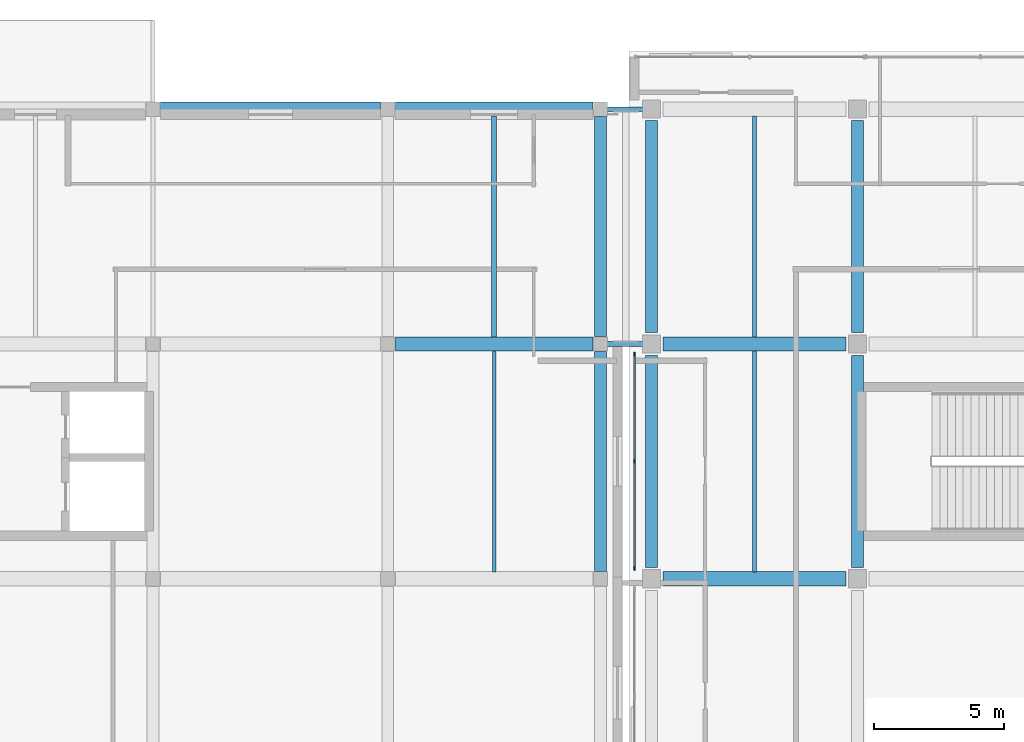
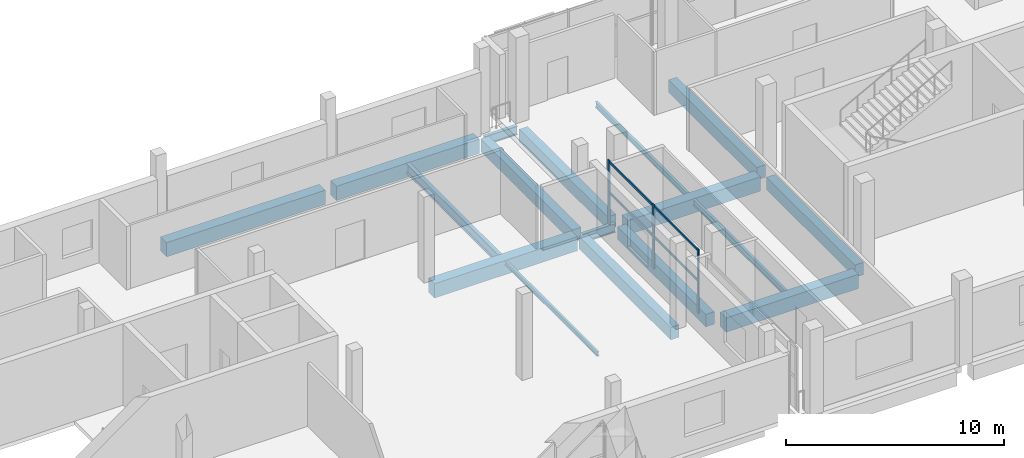
# One storey, part 43 of 111: 17 beams, 5 members, 1 element without a shape of its own.
"""IFC4 building model written with IfcOpenShell, lengths in metres."""

import ifcopenshell
import ifcopenshell.guid

model = None  # the IFC model being written
_history = None  # IfcOwnerHistory: only IFC2X3 demands one
_inside = {}  # id of a spatial element -> (the spatial element, [elements in it])
_under = {}  # id of a project, library or spatial element -> (it, [spatial elements below it])
_declared = {}  # id of a project -> (the project, [libraries it declares])
_typed = {}  # id of a type object -> (the type object, [elements of that type])
_made_of = {}  # id of a material, layer set ... -> (it, [elements and type objects made of it])


def new_model(schema):
    """Start an empty IFC model of exactly this schema.

    Asked for "IFC4X3", IfcOpenShell would pick the latest addendum, in which some entities
    have other attributes; the version numbers below select the first issue.
    IFC2X3 requires an IfcOwnerHistory on every rooted entity: one is made here for all.
    """
    global model, _history
    if schema == "IFC4X3":
        model = ifcopenshell.file(schema_version=(4, 3, 0, 0))
    else:
        model = ifcopenshell.file(schema=schema)
    _inside.clear()
    _under.clear()
    _declared.clear()
    _typed.clear()
    _made_of.clear()
    _history = None
    if model.schema == "IFC2X3":
        org = make("IfcOrganization", Name="unknown")
        user = make(
            "IfcPersonAndOrganization",
            ThePerson=make("IfcPerson", FamilyName="unknown"),
            TheOrganization=org,
        )
        app = make(
            "IfcApplication",
            ApplicationDeveloper=org,
            Version="unknown",
            ApplicationFullName="unknown",
            ApplicationIdentifier="unknown",
        )
        _history = make(
            "IfcOwnerHistory",
            OwningUser=user,
            OwningApplication=app,
            ChangeAction="ADDED",
            CreationDate=0,
        )
    return model


def make(cls, **values):
    """One entity of the class cls with the attributes given. An attribute that is None is left unset."""
    return model.create_entity(
        cls, **{name: value for name, value in values.items() if value is not None}
    )


def rooted(cls, **values):
    """An entity with a GlobalId (a new one), such as an element, a storey or a relation."""
    return make(cls, GlobalId=ifcopenshell.guid.new(), OwnerHistory=_history, **values)


def si_unit(unit_type, name, prefix=None):
    """IfcSIUnit, for example si_unit("LENGTHUNIT", "METRE", prefix="MILLI")."""
    return make("IfcSIUnit", UnitType=unit_type, Prefix=prefix, Name=name)


def assignment(units):
    """IfcUnitAssignment: the units of a project."""
    return None if units is None else make("IfcUnitAssignment", Units=units)


def point(xyz):
    """IfcCartesianPoint."""
    return None if xyz is None else make("IfcCartesianPoint", Coordinates=xyz)


def direction(xyz):
    """IfcDirection."""
    return None if xyz is None else make("IfcDirection", DirectionRatios=xyz)


def frame(location, z_axis=None, x_axis=None):
    """IfcAxis2Placement3D, a coordinate frame: its origin and axes. An axis left out is left unset."""
    return make(
        "IfcAxis2Placement3D",
        Location=point(location),
        Axis=direction(z_axis),
        RefDirection=direction(x_axis),
    )


def frame_2d(location, x_axis=None):
    """IfcAxis2Placement2D, a coordinate frame in the plane: its origin and x axis."""
    return make(
        "IfcAxis2Placement2D", Location=point(location), RefDirection=direction(x_axis)
    )


def origin():
    """The frame at (0, 0, 0) with its axes left unset."""
    return frame((0.0, 0.0, 0.0))


def origin_2d():
    """The frame at (0, 0) in the plane with its x axis left unset."""
    return frame_2d((0.0, 0.0))


def place(relative_to, where):
    """IfcLocalPlacement: puts the frame where relative to a parent placement (None: the world)."""
    return make(
        "IfcLocalPlacement", PlacementRelTo=relative_to, RelativePlacement=where
    )


def context(
    kind, dimensions, precision=None, world=None, true_north=None, identifier=None
):
    """IfcGeometricRepresentationContext, for example the 3D "Model" context."""
    return make(
        "IfcGeometricRepresentationContext",
        ContextIdentifier=identifier,
        ContextType=kind,
        CoordinateSpaceDimension=dimensions,
        Precision=precision,
        WorldCoordinateSystem=world,
        TrueNorth=true_north,
    )


def subcontext(parent, identifier, kind, view, scale=None):
    """IfcGeometricRepresentationSubContext, for example "Body" below "Model"."""
    return make(
        "IfcGeometricRepresentationSubContext",
        ContextIdentifier=identifier,
        ContextType=kind,
        ParentContext=parent,
        TargetScale=scale,
        TargetView=view,
    )


def project(units=None, contexts=None):
    """IfcProject with its units and contexts."""
    return rooted(
        "IfcProject",
        Name="project",
        RepresentationContexts=contexts,
        UnitsInContext=assignment(units),
    )


def spatial(cls, under=None, at=None, **own):
    """A site, building, storey or space (cls), placed at a placement, below another one or the project."""
    s = rooted(cls, ObjectPlacement=at, **own)
    if under is not None:
        _under.setdefault(under.id(), (under, []))[1].append(s)
    return s


def profile(cls, at=None, kind="AREA", **sizes):
    """A parametric profile (cls). Its sizes go by their IFC names, for example OverallWidth=200.0."""
    return make(cls, ProfileType=kind, Position=at, **sizes)


def rectangle(**sizes):
    """IfcRectangleProfileDef."""
    return profile("IfcRectangleProfileDef", **sizes)


def i_section(**sizes):
    """IfcIShapeProfileDef."""
    return profile("IfcIShapeProfileDef", **sizes)


def extrude(swept, where, along, depth):
    """IfcExtrudedAreaSolid: the profile swept, set in the frame where, extruded along a direction by depth."""
    return make(
        "IfcExtrudedAreaSolid",
        SweptArea=swept,
        Position=where,
        ExtrudedDirection=direction(along),
        Depth=depth,
    )


def shape(context_of_items, identifier, shape_type, items):
    """IfcShapeRepresentation: the items that make up one representation, for example the "Body"."""
    return make(
        "IfcShapeRepresentation",
        ContextOfItems=context_of_items,
        RepresentationIdentifier=identifier,
        RepresentationType=shape_type,
        Items=items,
    )


def material(Name=None, Category=None):
    """IfcMaterial."""
    return make("IfcMaterial", Name=Name, Category=Category)


def material_profile(
    of_material, cross_section, Name=None, Category=None, Priority=None
):
    """IfcMaterialProfile: a cross section and its material."""
    return make(
        "IfcMaterialProfile",
        Name=Name,
        Material=of_material,
        Profile=cross_section,
        Priority=Priority,
        Category=Category,
    )


def profile_set(profiles, Name=None, composite=None):
    """IfcMaterialProfileSet."""
    return make(
        "IfcMaterialProfileSet",
        Name=Name,
        MaterialProfiles=profiles,
        CompositeProfile=composite,
    )


def made_of(thing, what):
    """Note that an element or type object is made of a material, layer set ...; save() writes the relation."""
    if what is not None:
        _made_of.setdefault(what.id(), (what, []))[1].append(thing)
    return thing


def type_object(cls, material=None, **own):
    """A type object (cls), such as IfcWallType, which elements share."""
    return made_of(rooted(cls, **own), material)


def element(
    cls,
    number,
    at=None,
    inside=None,
    cuts=None,
    type_object=None,
    material=None,
    context=None,
    identifier="Body",
    shape_type=None,
    held_by="IfcProductDefinitionShape",
    body=None,
    shapes=None,
    **own,
):
    """One element of the class cls, such as IfcWall. Its Tag is "e" and its number.

    at: its placement. inside: the storey or other place that contains it. cuts: it is an
    opening in that element (IfcRelVoidsElement). A single representation is given by context,
    identifier, shape_type and body (its items); several are given by shapes. held_by: the class
    of the entity that holds the representations. save() writes the other relations.
    """
    e = rooted(cls, Tag="e%d" % number, ObjectPlacement=at, **own)
    if body is not None:
        shapes = [shape(context, identifier, shape_type, body)]
    if shapes is not None:
        e.Representation = make(held_by, Representations=shapes)
    if inside is not None:
        _inside.setdefault(inside.id(), (inside, []))[1].append(e)
    if cuts is not None:
        rooted(
            "IfcRelVoidsElement", RelatingBuildingElement=cuts, RelatedOpeningElement=e
        )
    if type_object is not None:
        _typed.setdefault(type_object.id(), (type_object, []))[1].append(e)
    return made_of(e, material)


def aggregate(whole, parts):
    """IfcRelAggregates: a whole, such as a stair, and the parts it consists of."""
    return rooted("IfcRelAggregates", RelatingObject=whole, RelatedObjects=parts)


def save(model, path):
    """Write the relations noted so far, then the file.

    IfcRelAggregates (storeys below a building ...), IfcRelContainedInSpatialStructure (elements
    in a storey), IfcRelDefinesByType, IfcRelAssociatesMaterial and IfcRelDeclares: one each for
    every whole, place, type object, material and project.
    """
    for whole, parts in _under.values():
        aggregate(whole, parts)
    for where, things in _inside.values():
        rooted(
            "IfcRelContainedInSpatialStructure",
            RelatedElements=things,
            RelatingStructure=where,
        )
    for kind, things in _typed.values():
        rooted("IfcRelDefinesByType", RelatedObjects=things, RelatingType=kind)
    for what, things in _made_of.values():
        rooted("IfcRelAssociatesMaterial", RelatedObjects=things, RelatingMaterial=what)
    for by, libraries in _declared.values():
        rooted("IfcRelDeclares", RelatingContext=by, RelatedDefinitions=libraries)
    model.write(path)


model = new_model("IFC4")

# Units and contexts
model_context = context("Model", 3, precision=1e-05, world=origin(), true_north=direction((0.0, 1.0)))
body_context = subcontext(model_context, "Body", "Model", "MODEL_VIEW")
ifc_project = project(units=[si_unit("LENGTHUNIT", "METRE"), si_unit("AREAUNIT", "SQUARE_METRE"), si_unit("VOLUMEUNIT", "CUBIC_METRE"), si_unit("PLANEANGLEUNIT", "RADIAN"), si_unit("MASSUNIT", "GRAM", prefix="KILO"), si_unit("THERMODYNAMICTEMPERATUREUNIT", "KELVIN"), si_unit("POWERUNIT", "WATT")], contexts=[model_context])

# Site, building, storey
site_placement = place(None, origin())
site = spatial("IfcSite", under=ifc_project, at=site_placement, CompositionType="ELEMENT")
building_placement = place(site_placement, origin())
building = spatial("IfcBuilding", under=site, at=building_placement, Name="Sindhuravela Promenade Stadium", CompositionType="ELEMENT")
storey_placement = place(building_placement, frame((0.0, 0.0, 9.60009765625)))
storey = spatial("IfcBuildingStorey", under=building, at=storey_placement, Name="L02", CompositionType="ELEMENT", Elevation=9.60009765625)

# Curtain wall, members
ifc_material_1 = material(Name="Anodised architectural aluminium 6063-T6", Category="aluminium")
curtain_wall_type = type_object("IfcCurtainWallType", Name="CW-MOD-2", PredefinedType="NOTDEFINED", material=ifc_material_1)
curtain_wall_placement = place(storey_placement, origin())
curtain_wall = element("IfcCurtainWall", 1, at=curtain_wall_placement, inside=storey, type_object=curtain_wall_type, Name="Bronze curtain wall CW-NORTH-L02-153", PredefinedType="NOTDEFINED")
ifc_material_profile_1 = material_profile(ifc_material_1, rectangle(XDim=0.06005859375, YDim=0.159912109375, at=origin_2d()), Name="ALU M60x160")
ifc_profile_set_1 = profile_set([ifc_material_profile_1], Name="Anodised architectural aluminium 6063-T6")
member_type_1 = type_object("IfcMemberType", Name="CW-MUL-4", PredefinedType="MULLION", material=ifc_profile_set_1)
member_1_placement = place(storey_placement, frame((54.449951171875, 135.39990234375, 0.0), z_axis=(0.0, 0.0, 1.0), x_axis=(1.0, 0.0, 0.0)))
member_1 = element("IfcMember", 2, at=member_1_placement, type_object=member_type_1, Name="Curtain wall mullion CW-NORTH-L02-153-M1", PredefinedType="MULLION", context=body_context, shape_type="SweptSolid", body=[
    extrude(rectangle(XDim=0.06005859375, YDim=0.159912109375, at=origin_2d()), origin(), (0.0, 0.0, 1.0), 3.579833984375),
])
member_2_placement = place(storey_placement, frame((54.449951171875, 139.5, 0.0), z_axis=(0.0, 0.0, 1.0), x_axis=(1.0, 0.0, 0.0)))
member_2 = element("IfcMember", 3, at=member_2_placement, type_object=member_type_1, Name="Curtain wall mullion CW-NORTH-L02-153-M2", PredefinedType="MULLION", context=body_context, shape_type="SweptSolid", body=[
    extrude(rectangle(XDim=0.06005859375, YDim=0.159912109375, at=origin_2d()), origin(), (0.0, 0.0, 1.0), 3.579833984375),
])
member_3_placement = place(storey_placement, frame((54.449951171875, 143.60009765625, 0.0), z_axis=(0.0, 0.0, 1.0), x_axis=(1.0, 0.0, 0.0)))
member_3 = element("IfcMember", 4, at=member_3_placement, type_object=member_type_1, Name="Curtain wall mullion CW-NORTH-L02-153-M3", PredefinedType="MULLION", context=body_context, shape_type="SweptSolid", body=[
    extrude(rectangle(XDim=0.06005859375, YDim=0.159912109375, at=origin_2d()), origin(), (0.0, 0.0, 1.0), 3.579833984375),
])
ifc_material_profile_2 = material_profile(ifc_material_1, rectangle(XDim=0.06005859375, YDim=0.1201171875, at=origin_2d()), Name="ALU T60x120")
ifc_profile_set_2 = profile_set([ifc_material_profile_2], Name="Anodised architectural aluminium 6063-T6")
member_type_2 = type_object("IfcMemberType", Name="CW-TRN-4", PredefinedType="USERDEFINED", material=ifc_profile_set_2)
member_4_placement = place(storey_placement, frame((54.449951171875, 135.375, 1.789794921875), z_axis=(0.0, 1.0, 0.0), x_axis=(-1.0, 0.0, 0.0)))
member_4 = element("IfcMember", 5, at=member_4_placement, type_object=member_type_2, Name="Curtain wall transom CW-NORTH-L02-153-T1", ObjectType="TRANSOM", PredefinedType="USERDEFINED", context=body_context, shape_type="SweptSolid", body=[
    extrude(rectangle(XDim=0.06005859375, YDim=0.1201171875, at=origin_2d()), origin(), (0.0, 0.0, 1.0), 8.25),
])
member_5_placement = place(storey_placement, frame((54.449951171875, 135.375, 3.5), z_axis=(0.0, 1.0, 0.0), x_axis=(-1.0, 0.0, 0.0)))
member_5 = element("IfcMember", 6, at=member_5_placement, type_object=member_type_2, Name="Curtain wall transom CW-NORTH-L02-153-T2", ObjectType="TRANSOM", PredefinedType="USERDEFINED", context=body_context, shape_type="SweptSolid", body=[
    extrude(rectangle(XDim=0.06005859375, YDim=0.1201171875, at=origin_2d()), origin(), (0.0, 0.0, 1.0), 8.25),
])
aggregate(curtain_wall, [member_1, member_2, member_3, member_4, member_5])

# Beams
ifc_material_2 = material(Name="Concrete M40", Category="concrete")
ifc_material_profile_3 = material_profile(ifc_material_2, rectangle(XDim=0.449951171875, YDim=0.699951171875, at=origin_2d()), Name="RC 450x700")
ifc_profile_set_3 = profile_set([ifc_material_profile_3], Name="Concrete M40")
beam_type_1 = type_object("IfcBeamType", Name="RC-BM-450x700", PredefinedType="BEAM", material=ifc_profile_set_3)
for number, where, z_axis, x_axis, name in (
    (7, (55.10009765625, 135.43994140625, -0.630126953125), (0.0, 1.0, 0.0), (-1.0, 0.0, 0.0), "Primary beam GB07 NORTH L02"),
    (8, (55.10009765625, 144.43994140625, -0.630126953125), (0.0, 1.0, 0.0), (-1.0, 0.0, 0.0), "Primary beam GB07 NORTH L02"),
    (9, (63.0, 135.43994140625, -0.630126953125), (0.0, 1.0, 0.0), (-1.0, 0.0, 0.0), "Primary beam GB07 NORTH L02"),
    (10, (63.0, 144.43994140625, -0.630126953125), (0.0, 1.0, 0.0), (-1.0, 0.0, 0.0), "Primary beam GB07 NORTH L02"),
):
    element("IfcBeam", number, at=place(storey_placement, frame(where, z_axis=z_axis, x_axis=x_axis)), inside=storey, type_object=beam_type_1, Name=name, PredefinedType="BEAM", context=body_context, shape_type="SweptSolid", body=[
        extrude(rectangle(XDim=0.449951171875, YDim=0.699951171875, at=origin_2d()), origin(), (0.0, 0.0, 1.0), 8.1201171875),
    ])
for number, where, z_axis, x_axis, name in (
    (11, (53.14990234375, 135.2900390625, -0.585205078125), (0.0, 1.0, 0.0), (-1.0, 0.0, 0.0), "Primary beam GB07 Pavilion NW L02"),
    (12, (53.14990234375, 144.2900390625, -0.585205078125), (0.0, 1.0, 0.0), (-1.0, 0.0, 0.0), "Primary beam GB07 Pavilion NW L02"),
):
    element("IfcBeam", number, at=place(storey_placement, frame(where, z_axis=z_axis, x_axis=x_axis)), inside=storey, type_object=beam_type_1, Name=name, PredefinedType="BEAM", context=body_context, shape_type="SweptSolid", body=[
        extrude(rectangle(XDim=0.449951171875, YDim=0.699951171875, at=origin_2d()), origin(), (0.0, 0.0, 1.0), 8.419921875),
    ])
ifc_material_profile_4 = material_profile(ifc_material_2, rectangle(XDim=0.550048828125, YDim=0.800048828125, at=origin_2d()), Name="RC 550x800")
ifc_profile_set_4 = profile_set([ifc_material_profile_4], Name="Concrete M40")
beam_type_2 = type_object("IfcBeamType", Name="RC-BM-550x800", PredefinedType="BEAM", material=ifc_profile_set_4)
for number, where, z_axis, x_axis, name in (
    (13, (55.5400390625, 135.0, -0.68017578125), (1.0, 0.0, 0.0), (0.0, 1.0, 0.0), "Primary girder GB05 NORTH L02"),
    (14, (55.5400390625, 144.0, -0.68017578125), (1.0, 0.0, 0.0), (0.0, 1.0, 0.0), "Primary girder GB05 NORTH L02"),
):
    element("IfcBeam", number, at=place(storey_placement, frame(where, z_axis=z_axis, x_axis=x_axis)), inside=storey, type_object=beam_type_2, Name=name, PredefinedType="BEAM", context=body_context, shape_type="SweptSolid", body=[
        extrude(rectangle(XDim=0.550048828125, YDim=0.800048828125, at=origin_2d()), origin(), (0.0, 0.0, 1.0), 7.02001953125),
    ])
beam_1_placement = place(storey_placement, frame((45.2900390625, 144.0, -0.635009765625), z_axis=(1.0, 0.0, 0.0), x_axis=(0.0, 1.0, 0.0)))
element("IfcBeam", 15, at=beam_1_placement, inside=storey, type_object=beam_type_2, Name="Primary girder GB05 Pavilion NW L02", PredefinedType="BEAM", context=body_context, shape_type="SweptSolid", body=[
    extrude(rectangle(XDim=0.550048828125, YDim=0.800048828125, at=origin_2d()), origin(), (0.0, 0.0, 1.0), 7.570068359375),
])
beam_2_placement = place(storey_placement, frame((36.2900390625, 153.0, -0.635009765625), z_axis=(1.0, 0.0, 0.0), x_axis=(0.0, 1.0, 0.0)))
element("IfcBeam", 16, at=beam_2_placement, inside=storey, type_object=beam_type_2, Name="Primary girder GB05 Pavilion NW L02", PredefinedType="BEAM", context=body_context, shape_type="SweptSolid", body=[
    extrude(rectangle(XDim=0.550048828125, YDim=0.800048828125, at=origin_2d()), origin(), (0.0, 0.0, 1.0), 8.419921875),
])
beam_3_placement = place(storey_placement, frame((45.2900390625, 153.0, -0.635009765625), z_axis=(1.0, 0.0, 0.0), x_axis=(0.0, 1.0, 0.0)))
element("IfcBeam", 17, at=beam_3_placement, inside=storey, type_object=beam_type_2, Name="Primary girder GB05 Pavilion NW L02", PredefinedType="BEAM", context=body_context, shape_type="SweptSolid", body=[
    extrude(rectangle(XDim=0.550048828125, YDim=0.800048828125, at=origin_2d()), origin(), (0.0, 0.0, 1.0), 7.570068359375),
])
ifc_material_3 = material(Name="Steel E350 (IS 2062 E350BR)", Category="steel")
ifc_material_profile_5 = material_profile(ifc_material_3, i_section(OverallWidth=0.125, OverallDepth=0.25, WebThickness=0.0068359375, FlangeThickness=0.012451171875, FilletRadius=0.012939453125, at=origin_2d()), Name="ISMB 250")
ifc_profile_set_5 = profile_set([ifc_material_profile_5], Name="Steel E350 (IS 2062 E350BR)")
beam_type_3 = type_object("IfcBeamType", Name="ST-BM-MB250", PredefinedType="JOIST", material=ifc_profile_set_5)
beam_4_placement = place(storey_placement, frame((49.074951171875, 135.264892578125, -0.360107421875), z_axis=(0.0, 1.0, 0.0), x_axis=(-1.0, 0.0, 0.0)))
element("IfcBeam", 18, at=beam_4_placement, inside=storey, type_object=beam_type_3, Name="Secondary floor joist SB02 Pavilion NW L02", PredefinedType="JOIST", context=body_context, shape_type="SweptSolid", body=[
    extrude(i_section(OverallWidth=0.125, OverallDepth=0.25, WebThickness=0.0068359375, FlangeThickness=0.012451171875, FilletRadius=0.012939453125, at=origin_2d()), origin(), (0.0, 0.0, 1.0), 8.47021484375),
])
ifc_material_profile_6 = material_profile(ifc_material_3, i_section(OverallWidth=0.139892578125, OverallDepth=0.300048828125, WebThickness=0.0078125, FlangeThickness=0.01318359375, FilletRadius=0.013916015625, at=origin_2d()), Name="ISMB 300")
ifc_profile_set_6 = profile_set([ifc_material_profile_6], Name="Steel E350 (IS 2062 E350BR)")
beam_type_4 = type_object("IfcBeamType", Name="ST-BM-MB300", PredefinedType="JOIST", material=ifc_profile_set_6)
beam_5_placement = place(storey_placement, frame((59.050048828125, 144.264892578125, -0.43017578125), z_axis=(0.0, 1.0, 0.0), x_axis=(-1.0, 0.0, 0.0)))
element("IfcBeam", 19, at=beam_5_placement, inside=storey, type_object=beam_type_4, Name="Secondary floor joist SB03 NORTH L02", PredefinedType="JOIST", context=body_context, shape_type="SweptSolid", body=[
    extrude(i_section(OverallWidth=0.139892578125, OverallDepth=0.300048828125, WebThickness=0.0078125, FlangeThickness=0.01318359375, FilletRadius=0.013916015625, at=origin_2d()), origin(), (0.0, 0.0, 1.0), 8.47021484375),
])
ifc_material_profile_7 = material_profile(ifc_material_3, i_section(OverallWidth=0.139892578125, OverallDepth=0.35009765625, WebThickness=0.008056640625, FlangeThickness=0.01416015625, FilletRadius=0.013916015625, at=origin_2d()), Name="ISMB 350")
ifc_profile_set_7 = profile_set([ifc_material_profile_7], Name="Steel E350 (IS 2062 E350BR)")
beam_type_5 = type_object("IfcBeamType", Name="ST-BM-MB350", PredefinedType="JOIST", material=ifc_profile_set_7)
beam_6_placement = place(storey_placement, frame((59.050048828125, 135.264892578125, -0.455078125), z_axis=(0.0, 1.0, 0.0), x_axis=(-1.0, 0.0, 0.0)))
element("IfcBeam", 20, at=beam_6_placement, inside=storey, type_object=beam_type_5, Name="Secondary floor joist SB04 NORTH L02", PredefinedType="JOIST", context=body_context, shape_type="SweptSolid", body=[
    extrude(i_section(OverallWidth=0.139892578125, OverallDepth=0.35009765625, WebThickness=0.008056640625, FlangeThickness=0.01416015625, FilletRadius=0.013916015625, at=origin_2d()), origin(), (0.0, 0.0, 1.0), 8.47021484375),
])
ifc_material_profile_8 = material_profile(ifc_material_3, i_section(OverallWidth=0.179931640625, OverallDepth=0.5, WebThickness=0.01025390625, FlangeThickness=0.01708984375, FilletRadius=0.01708984375, at=origin_2d()), Name="ISMB 500")
ifc_profile_set_8 = profile_set([ifc_material_profile_8], Name="Steel E350 (IS 2062 E350BR)")
beam_type_6 = type_object("IfcBeamType", Name="ST-BM-MB500", PredefinedType="BEAM", material=ifc_profile_set_8)
for number, where, z_axis, x_axis, name in (
    (21, (53.25, 144.0, -0.610107421875), (1.0, 0.0, 0.0), (0.0, 1.0, 0.0), "Concourse link bridge L02 North-NW PTFE sliding girder B"),
    (22, (53.25, 153.0, -0.610107421875), (1.0, 0.0, 0.0), (0.0, 1.0, 0.0), "Concourse link bridge L02 North-NW PTFE sliding girder T"),
):
    element("IfcBeam", number, at=place(storey_placement, frame(where, z_axis=z_axis, x_axis=x_axis)), inside=storey, type_object=beam_type_6, Name=name, PredefinedType="BEAM", context=body_context, shape_type="SweptSolid", body=[
        extrude(i_section(OverallWidth=0.179931640625, OverallDepth=0.5, WebThickness=0.01025390625, FlangeThickness=0.01708984375, FilletRadius=0.01708984375, at=origin_2d()), origin(), (0.0, 0.0, 1.0), 1.75),
    ])
ifc_material_profile_9 = material_profile(ifc_material_3, i_section(OverallWidth=0.18994140625, OverallDepth=0.550048828125, WebThickness=0.01123046875, FlangeThickness=0.019287109375, FilletRadius=0.01806640625, at=origin_2d()), Name="ISMB 550")
ifc_profile_set_9 = profile_set([ifc_material_profile_9], Name="Steel E350 (IS 2062 E350BR)")
beam_type_7 = type_object("IfcBeamType", Name="ST-BM-MB550", PredefinedType="SPANDREL", material=ifc_profile_set_9)
beam_7_placement = place(storey_placement, frame((49.074951171875, 144.264892578125, -0.510009765625), z_axis=(0.0, 1.0, 0.0), x_axis=(-1.0, 0.0, 0.0)))
element("IfcBeam", 23, at=beam_7_placement, inside=storey, type_object=beam_type_7, Name="Secondary floor joist SB08 Pavilion NW L02", PredefinedType="SPANDREL", context=body_context, shape_type="SweptSolid", body=[
    extrude(i_section(OverallWidth=0.18994140625, OverallDepth=0.550048828125, WebThickness=0.01123046875, FlangeThickness=0.019287109375, FilletRadius=0.01806640625, at=origin_2d()), origin(), (0.0, 0.0, 1.0), 8.47021484375),
])

save(model, "model.ifc")
